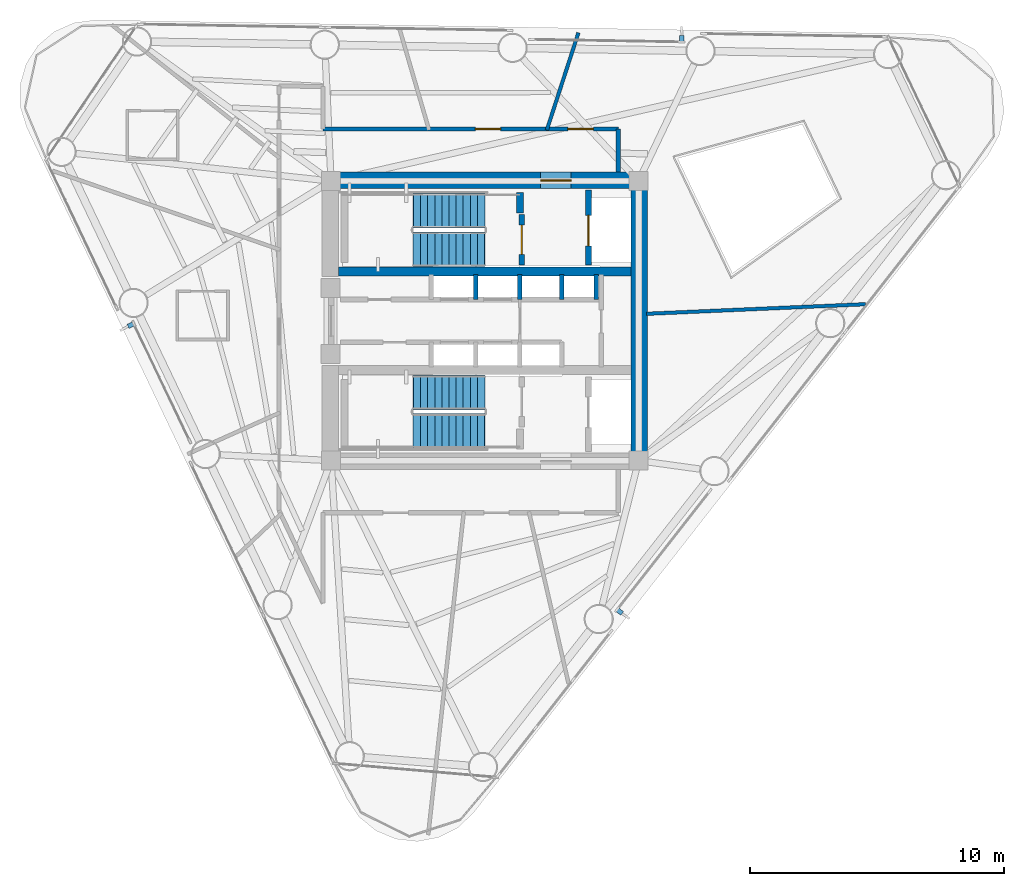
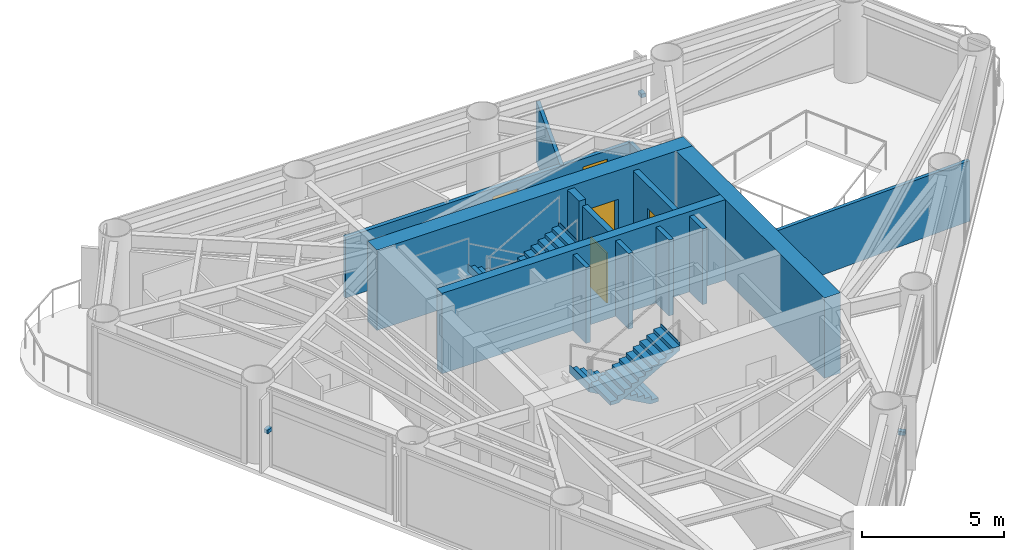
# One storey, part 6 of 9: 14 walls, 5 doors, 4 stair flights, 3 discrete accessories, 5 openings, 2 elements without a shape of their own.
"""IFC4 building model written with IfcOpenShell, lengths in metres."""

from ifc_helpers import new_model, si_unit, direction, frame, frame_2d, origin, origin_2d, place, context, subcontext, project, spatial, polyline, rectangle, outline, extrude, source, transform, mapped, material, layer, layer_set, type_object, element, fill, aggregate, save


model = new_model("IFC4")

# Units and contexts
model_context = context("Model", 3, precision=1e-05, world=origin(), true_north=direction((0.0, 1.0)))
body_context = subcontext(model_context, "Body", "Model", "MODEL_VIEW")
ifc_project = project(units=[si_unit("LENGTHUNIT", "METRE"), si_unit("AREAUNIT", "SQUARE_METRE"), si_unit("VOLUMEUNIT", "CUBIC_METRE"), si_unit("PLANEANGLEUNIT", "RADIAN"), si_unit("MASSUNIT", "GRAM", prefix="KILO")], contexts=[model_context])

# Site, building, storey
site_placement = place(None, origin())
site = spatial("IfcSite", under=ifc_project, at=site_placement, CompositionType="ELEMENT")
building_placement = place(site_placement, origin())
building = spatial("IfcBuilding", under=site, at=building_placement, Name="Yunling Apex Tower", CompositionType="ELEMENT")
storey_placement = place(building_placement, frame((0.0, 0.0, 208.699951171875)))
storey = spatial("IfcBuildingStorey", under=building, at=storey_placement, Name="L51", CompositionType="ELEMENT", Elevation=208.699951171875)

# Wall, opening, door
ifc_material_1 = material(Name="Concrete C50", Category="concrete")
ifc_layer_1 = layer(ifc_material_1, 0.64990234375)
ifc_layer_set_1 = layer_set([ifc_layer_1], Name="Concrete C50")
wall_type_1 = type_object("IfcWallType", Name="WL-COR-2", PredefinedType="SHEAR", material=ifc_layer_set_1)
wall_1_placement = place(storey_placement, frame((-6.39990234375, 5.52490234375, 0.0), z_axis=(0.0, 0.0, 1.0), x_axis=(1.0, 0.0, 0.0)))
wall_1 = element("IfcWall", 1, at=wall_1_placement, inside=storey, type_object=wall_type_1, Name="L51 North Core Shear Wall", PredefinedType="SHEAR", context=body_context, shape_type="SweptSolid", body=[
    extrude(rectangle(XDim=12.7998046875, YDim=0.64990234375, at=frame_2d((6.39990234375, 0.0))), origin(), (0.0, 0.0, 1.0), 3.449951171875),
])
opening_1_placement = place(wall_1_placement, frame((8.60009765625, 0.0, 0.0)))
opening_1 = element("IfcOpeningElement", 2, at=opening_1_placement, cuts=wall_1, Name="Opening DR-FFL-1", PredefinedType="OPENING", context=body_context, shape_type="SweptSolid", body=[
    extrude(rectangle(XDim=1.199951171875, YDim=2.199951171875, at=frame_2d((0.60009765625, 1.10009765625))), frame((0.0, 0.3349609375, 0.0), z_axis=(0.0, -1.0, 0.0), x_axis=(1.0, 0.0, 0.0)), (0.0, 0.0, 1.0), 0.669921875),
])
ifc_material_2 = material(Name="Steel Q355B", Category="steel")
door_type_1 = type_object("IfcDoorType", Name="DR-FFL-1", OperationType="NOTDEFINED", PredefinedType="DOOR", material=ifc_material_2)
door_1_placement = place(opening_1_placement, origin())
door_1 = element("IfcDoor", 3, at=door_1_placement, inside=storey, type_object=door_type_1, Name="L51 North Firefighting Lobby Door", OperationType="SINGLE_SWING_LEFT", OverallHeight=2.199951171875, OverallWidth=1.199951171875, PredefinedType="DOOR", context=body_context, shape_type="SweptSolid", body=[
    extrude(rectangle(XDim=1.199951171875, YDim=2.199951171875, at=frame_2d((0.60009765625, 1.10009765625))), frame((0.0, 0.02490234375, 0.0), z_axis=(0.0, -1.0, 0.0), x_axis=(1.0, 0.0, 0.0)), (0.0, 0.0, 1.0), 0.050048828125),
])
fill(opening_1, door_1)

# Walls
wall_2_placement = place(storey_placement, frame((6.074951171875, -5.199951171875, 0.0), z_axis=(0.0, 0.0, 1.0), x_axis=(0.0, 1.0, 0.0)))
element("IfcWall", 4, at=wall_2_placement, inside=storey, type_object=wall_type_1, Name="L51 East Core Shear Wall", PredefinedType="SHEAR", context=body_context, shape_type="SweptSolid", body=[
    extrude(rectangle(XDim=10.39990234375, YDim=0.64990234375, at=frame_2d((5.199951171875, 0.0))), origin(), (0.0, 0.0, 1.0), 3.449951171875),
])
ifc_material_3 = material(Name="Concrete C40", Category="concrete")
ifc_layer_2 = layer(ifc_material_3, 0.360107421875)
ifc_layer_set_2 = layer_set([ifc_layer_2], Name="Concrete C40")
wall_type_2 = type_object("IfcWallType", Name="WL-COR-4", PredefinedType="SHEAR", material=ifc_layer_set_2)
wall_3_placement = place(storey_placement, frame((-5.75, 1.93994140625, 0.0), z_axis=(0.0, 0.0, 1.0), x_axis=(1.0, 0.0, 0.0)))
element("IfcWall", 5, at=wall_3_placement, inside=storey, type_object=wall_type_2, Name="L51 North Internal Core Shear Wall", PredefinedType="SHEAR", context=body_context, shape_type="SweptSolid", body=[
    extrude(rectangle(XDim=11.5, YDim=0.360107421875, at=frame_2d((5.75, 0.0))), origin(), (0.0, 0.0, 1.0), 3.449951171875),
])
ifc_layer_3 = layer(ifc_material_3, 0.280029296875)
ifc_layer_set_3 = layer_set([ifc_layer_3], Name="Concrete C40")
wall_type_3 = type_object("IfcWallType", Name="WL-COR-8", PredefinedType="SHEAR", material=ifc_layer_set_3)
wall_4_placement = place(storey_placement, frame((1.3798828125, 4.25, 0.0), z_axis=(0.0, 0.0, 1.0), x_axis=(0.0, 1.0, 0.0)))
element("IfcWall", 6, at=wall_4_placement, inside=storey, type_object=wall_type_3, Name="L51 ST-1 East Landing Bearing Pier", PredefinedType="SHEAR", context=body_context, shape_type="SweptSolid", body=[
    extrude(rectangle(XDim=0.800048828125, YDim=0.280029296875, at=frame_2d((0.39990234375, 0.0))), origin(), (0.0, 0.0, 1.0), 3.449951171875),
])

# Wall, openings, doors
ifc_material_4 = material(Name="Gypsum board acoustic partition")
ifc_layer_4 = layer(ifc_material_4, 0.159912109375)
ifc_layer_set_4 = layer_set([ifc_layer_4], Name="Gypsum board acoustic partition")
wall_type_4 = type_object("IfcWallType", Name="WL-PRT-1", PredefinedType="PARTITIONING", material=ifc_layer_set_4)
wall_5_placement = place(storey_placement, frame((-6.360107421875, 7.550048828125, 0.0), z_axis=(0.0, 0.0, 1.0), x_axis=(1.0, 0.0, 0.0)))
wall_5 = element("IfcWall", 7, at=wall_5_placement, inside=storey, type_object=wall_type_4, Name="WL-CORR-L51-06", PredefinedType="PARTITIONING", context=body_context, shape_type="SweptSolid", body=[
    extrude(rectangle(XDim=11.610107421875, YDim=0.159912109375, at=frame_2d((5.80517578125, 0.0))), origin(), (0.0, 0.0, 1.0), 2.60498046875),
])
opening_2_placement = place(wall_5_placement, frame((5.984619140625, 0.0, 0.0)))
opening_2 = element("IfcOpeningElement", 8, at=opening_2_placement, cuts=wall_5, Name="Opening DR-OFF-1", PredefinedType="OPENING", context=body_context, shape_type="SweptSolid", body=[
    extrude(rectangle(XDim=1.0, YDim=2.25, at=frame_2d((0.5, 1.125))), frame((0.0, 0.08984375, 0.0), z_axis=(0.0, -1.0, 0.0), x_axis=(1.0, 0.0, 0.0)), (0.0, 0.0, 1.0), 0.179931640625),
])
opening_3_placement = place(wall_5_placement, frame((9.632568359375, 0.0, 0.0)))
opening_3 = element("IfcOpeningElement", 9, at=opening_3_placement, cuts=wall_5, Name="Opening DR-OFF-1", PredefinedType="OPENING", context=body_context, shape_type="SweptSolid", body=[
    extrude(rectangle(XDim=1.0, YDim=2.25, at=frame_2d((0.5, 1.125))), frame((0.0, 0.08984375, 0.0), z_axis=(0.0, -1.0, 0.0), x_axis=(1.0, 0.0, 0.0)), (0.0, 0.0, 1.0), 0.179931640625),
])
ifc_material_5 = material(Name="Bronze anodised aluminium", Category="aluminium")
door_type_2 = type_object("IfcDoorType", Name="DR-OFF-1", OperationType="NOTDEFINED", PredefinedType="DOOR", material=ifc_material_5)
door_2_placement = place(opening_2_placement, origin())
door_2 = element("IfcDoor", 10, at=door_2_placement, inside=storey, type_object=door_type_2, Name="L51 Club Lounge Door", OperationType="SINGLE_SWING_LEFT", OverallHeight=2.25, OverallWidth=1.0, PredefinedType="DOOR", context=body_context, shape_type="SweptSolid", body=[
    extrude(rectangle(XDim=1.0, YDim=2.25, at=frame_2d((0.5, 1.125))), frame((0.0, 0.02490234375, 0.0), z_axis=(0.0, -1.0, 0.0), x_axis=(1.0, 0.0, 0.0)), (0.0, 0.0, 1.0), 0.050048828125),
])
fill(opening_2, door_2)
door_3_placement = place(opening_3_placement, origin())
door_3 = element("IfcDoor", 11, at=door_3_placement, inside=storey, type_object=door_type_2, Name="L51 Club Lounge Door", OperationType="SINGLE_SWING_RIGHT", OverallHeight=2.25, OverallWidth=1.0, PredefinedType="DOOR", context=body_context, shape_type="SweptSolid", body=[
    extrude(rectangle(XDim=1.0, YDim=2.25, at=frame_2d((0.5, 1.125))), frame((0.0, 0.02490234375, 0.0), z_axis=(0.0, -1.0, 0.0), x_axis=(1.0, 0.0, 0.0)), (0.0, 0.0, 1.0), 0.050048828125),
])
fill(opening_3, door_3)

# Walls
wall_6_placement = place(storey_placement, frame((5.25, 7.550048828125, 0.0), z_axis=(0.0, 0.0, 1.0), x_axis=(0.0, -1.0, 0.0)))
element("IfcWall", 12, at=wall_6_placement, inside=storey, type_object=wall_type_4, Name="WL-CORR-L51-07", PredefinedType="PARTITIONING", context=body_context, shape_type="SweptSolid", body=[
    extrude(rectangle(XDim=1.699951171875, YDim=0.159912109375, at=frame_2d((0.85009765625, 0.0))), origin(), (0.0, 0.0, 1.0), 2.60498046875),
])
ifc_layer_5 = layer(ifc_material_4, 0.139892578125)
ifc_layer_set_5 = layer_set([ifc_layer_5], Name="Gypsum board acoustic partition")
wall_type_5 = type_object("IfcWallType", Name="WL-PRT-2", PredefinedType="PARTITIONING", material=ifc_layer_set_5)
wall_7_placement = place(storey_placement, frame((6.360107421875, 0.277587890625, 0.0), z_axis=(0.0, 0.0, 1.0), x_axis=(0.999047440648, 0.043637270025, 0.0)))
element("IfcWall", 13, at=wall_7_placement, inside=storey, type_object=wall_type_5, Name="WL-RAD-L51-01", PredefinedType="PARTITIONING", context=body_context, shape_type="SweptSolid", body=[
    extrude(rectangle(XDim=8.6328125, YDim=0.139892578125, at=frame_2d((4.31640625, 0.0))), origin(), (0.0, 0.0, 1.0), 2.60498046875),
])
wall_8_placement = place(storey_placement, frame((2.440185546875, 7.510009765625, 0.0), z_axis=(0.0, 0.0, 1.0), x_axis=(0.309013387048, 0.951057688379, 0.0)))
element("IfcWall", 14, at=wall_8_placement, inside=storey, type_object=wall_type_5, Name="WL-RAD-L51-02", PredefinedType="PARTITIONING", context=body_context, shape_type="SweptSolid", body=[
    extrude(rectangle(XDim=4.025390625, YDim=0.139892578125, at=frame_2d((2.0126953125, 0.0))), origin(), (0.0, 0.0, 1.0), 2.60498046875),
])

# Wall, opening, door
ifc_material_6 = material(Name="Autoclaved aerated concrete masonry", Category="masonry")
ifc_layer_6 = layer(ifc_material_6, 0.219970703125)
ifc_layer_set_6 = layer_set([ifc_layer_6], Name="Autoclaved aerated concrete masonry")
wall_type_6 = type_object("IfcWallType", Name="WL-SHF-1", PredefinedType="PLUMBINGWALL", material=ifc_layer_set_6)
wall_9_placement = place(storey_placement, frame((1.449951171875, 2.199951171875, 0.0), z_axis=(0.0, 0.0, 1.0), x_axis=(0.0, 1.0, 0.0)))
wall_9 = element("IfcWall", 15, at=wall_9_placement, inside=storey, type_object=wall_type_6, Name="WL-ST1-E-L51", PredefinedType="PLUMBINGWALL", context=body_context, shape_type="SweptSolid", body=[
    extrude(rectangle(XDim=1.97998046875, YDim=0.219970703125, at=frame_2d((0.989990234375, 0.0))), origin(), (0.0, 0.0, 1.0), 3.25),
])
opening_4_placement = place(wall_9_placement, frame((0.419921875, 0.0, 0.0)))
opening_4 = element("IfcOpeningElement", 16, at=opening_4_placement, cuts=wall_9, Name="Opening DR-ST-1", PredefinedType="OPENING", context=body_context, shape_type="SweptSolid", body=[
    extrude(rectangle(XDim=1.14990234375, YDim=2.14990234375, at=frame_2d((0.574951171875, 1.074951171875))), frame((0.0, 0.1201171875, 0.0), z_axis=(0.0, -1.0, 0.0), x_axis=(1.0, 0.0, 0.0)), (0.0, 0.0, 1.0), 0.239990234375),
])
door_type_3 = type_object("IfcDoorType", Name="DR-ST-1", OperationType="NOTDEFINED", PredefinedType="DOOR", material=ifc_material_2)
door_4_placement = place(opening_4_placement, origin())
door_4 = element("IfcDoor", 17, at=door_4_placement, inside=storey, type_object=door_type_3, Name="L51 Stair ST-1 Fire Door", OperationType="SINGLE_SWING_LEFT", OverallHeight=2.14990234375, OverallWidth=1.14990234375, PredefinedType="DOOR", context=body_context, shape_type="SweptSolid", body=[
    extrude(rectangle(XDim=1.14990234375, YDim=2.14990234375, at=frame_2d((0.574951171875, 1.074951171875))), frame((0.0, 0.02490234375, 0.0), z_axis=(0.0, -1.0, 0.0), x_axis=(1.0, 0.0, 0.0)), (0.0, 0.0, 1.0), 0.050048828125),
])
fill(opening_4, door_4)

wall_10_placement = place(storey_placement, frame((4.080078125, 2.199951171875, 0.0), z_axis=(0.0, 0.0, 1.0), x_axis=(0.0, 1.0, 0.0)))
wall_10 = element("IfcWall", 18, at=wall_10_placement, inside=storey, type_object=wall_type_6, Name="WL-FFL1-W-L51", PredefinedType="PLUMBINGWALL", context=body_context, shape_type="SweptSolid", body=[
    extrude(rectangle(XDim=2.949951171875, YDim=0.219970703125, at=frame_2d((1.47509765625, 0.0))), origin(), (0.0, 0.0, 1.0), 3.25),
])
opening_5_placement = place(wall_10_placement, frame((0.75, 0.0, 0.0)))
opening_5 = element("IfcOpeningElement", 19, at=opening_5_placement, cuts=wall_10, Name="Opening LD-FFL-1", PredefinedType="OPENING", context=body_context, shape_type="SweptSolid", body=[
    extrude(rectangle(XDim=1.199951171875, YDim=2.25, at=frame_2d((0.60009765625, 1.125))), frame((0.0, 0.1201171875, 0.0), z_axis=(0.0, -1.0, 0.0), x_axis=(1.0, 0.0, 0.0)), (0.0, 0.0, 1.0), 0.239990234375),
])
door_type_4 = type_object("IfcDoorType", Name="LD-FFL-1", OperationType="DOUBLE_DOOR_SLIDING", PredefinedType="DOOR", material=ifc_material_2)
door_5_placement = place(opening_5_placement, origin())
door_5 = element("IfcDoor", 20, at=door_5_placement, inside=storey, type_object=door_type_4, Name="L51 Lift FFL-1 Landing Door", OperationType="DOUBLE_DOOR_SLIDING", OverallHeight=2.25, OverallWidth=1.199951171875, PredefinedType="DOOR", context=body_context, shape_type="SweptSolid", body=[
    extrude(rectangle(XDim=1.199951171875, YDim=2.25, at=frame_2d((0.60009765625, 1.125))), frame((0.0, 0.02490234375, 0.0), z_axis=(0.0, -1.0, 0.0), x_axis=(1.0, 0.0, 0.0)), (0.0, 0.0, 1.0), 0.050048828125),
])
fill(opening_5, door_5)

# Walls
ifc_layer_7 = layer(ifc_material_6, 0.179931640625)
ifc_layer_set_7 = layer_set([ifc_layer_7], Name="Autoclaved aerated concrete masonry")
wall_type_7 = type_object("IfcWallType", Name="WL-SHF-2", PredefinedType="PLUMBINGWALL", material=ifc_layer_set_7)
for number, where, z_axis, x_axis, name in (
    (21, (-0.35009765625, 0.840087890625, 0.0), (0.0, 0.0, 1.0), (0.0, 1.0, 0.0), "WL-DIV-M12-L51"),
    (22, (1.3798828125, 0.840087890625, 0.0), (0.0, 0.0, 1.0), (0.0, 1.0, 0.0), "WL-BNK-MH-N-L51"),
    (23, (3.02001953125, 0.840087890625, 0.0), (0.0, 0.0, 1.0), (0.0, 1.0, 0.0), "WL-DIV-H13-L51"),
    (24, (4.3798828125, 0.840087890625, 0.0), (0.0, 0.0, 1.0), (0.0, 1.0, 0.0), "WL-END-H3E-L51"),
):
    element("IfcWall", number, at=place(storey_placement, frame(where, z_axis=z_axis, x_axis=x_axis)), inside=storey, type_object=wall_type_7, Name=name, PredefinedType="PLUMBINGWALL", context=body_context, shape_type="SweptSolid", body=[
        extrude(rectangle(XDim=0.97998046875, YDim=0.179931640625, at=frame_2d((0.489990234375, 0.0))), origin(), (0.0, 0.0, 1.0), 3.25),
    ])

# Stair, stair flights
stair_type = type_object("IfcStairType", Name="ST-TWR-2", PredefinedType="HALF_TURN_STAIR", material=ifc_material_3)
stair_1_placement = place(storey_placement, origin())
stair_1 = element("IfcStair", 25, at=stair_1_placement, inside=storey, type_object=stair_type, Name="L51 North Core Smokeproof Exit Stair ST-1", PredefinedType="HALF_TURN_STAIR")
stair_flight_type = type_object("IfcStairFlightType", Name="SFL-TWR-2", PredefinedType="STRAIGHT", material=ifc_material_3)
stair_flight_1_placement = place(storey_placement, frame((-0.010009765625, 4.330078125, 0.0), z_axis=(0.0, 0.0, 1.0), x_axis=(-1.0, 0.0, 0.0)))
stair_flight_1 = element("IfcStairFlight", 26, at=stair_flight_1_placement, type_object=stair_flight_type, Name="ST-1 flight 1", NumberOfRisers=11, NumberOfTreads=10, PredefinedType="STRAIGHT", RiserHeight=0.156818182, TreadLength=0.28, context=body_context, shape_type="SweptSolid", body=[
    extrude(outline(polyline([(-0.011962890625, 0.0), (-0.011962890625, 0.15673828125), (0.0, 0.15673828125), (0.280029296875, 0.15673828125), (0.280029296875, 0.313720703125), (0.56005859375, 0.313720703125), (0.56005859375, 0.470458984375), (0.840087890625, 0.470458984375), (0.840087890625, 0.627197265625), (1.1201171875, 0.627197265625), (1.1201171875, 0.7841796875), (1.39990234375, 0.7841796875), (1.39990234375, 0.94091796875), (1.679931640625, 0.94091796875), (1.679931640625, 1.09765625), (1.9599609375, 1.09765625), (1.9599609375, 1.254638671875), (2.239990234375, 1.254638671875), (2.239990234375, 1.411376953125), (2.52001953125, 1.411376953125), (2.52001953125, 1.568115234375), (2.800048828125, 1.568115234375), (2.800048828125, 1.72509765625), (2.81201171875, 1.72509765625), (2.81201171875, 1.385009765625), (0.3271484375, 0.0), (-0.011962890625, 0.0)])), frame((0.0, 0.68017578125, 0.0), z_axis=(0.0, -1.0, 0.0), x_axis=(1.0, 0.0, 0.0)), (0.0, 0.0, 1.0), 1.360107421875),
])
stair_flight_2_placement = place(storey_placement, frame((-2.81005859375, 2.820068359375, 1.72509765625), z_axis=(0.0, 0.0, 1.0), x_axis=(1.0, 0.0, 0.0)))
stair_flight_2 = element("IfcStairFlight", 27, at=stair_flight_2_placement, type_object=stair_flight_type, Name="ST-1 flight 2", NumberOfRisers=11, NumberOfTreads=10, PredefinedType="STRAIGHT", RiserHeight=0.156818182, TreadLength=0.28, context=body_context, shape_type="SweptSolid", body=[
    extrude(outline(polyline([(-0.011962890625, 0.0), (-0.011962890625, 0.15673828125), (0.0, 0.15673828125), (0.280029296875, 0.15673828125), (0.280029296875, 0.313720703125), (0.56005859375, 0.313720703125), (0.56005859375, 0.470458984375), (0.840087890625, 0.470458984375), (0.840087890625, 0.627197265625), (1.1201171875, 0.627197265625), (1.1201171875, 0.7841796875), (1.39990234375, 0.7841796875), (1.39990234375, 0.94091796875), (1.679931640625, 0.94091796875), (1.679931640625, 1.09765625), (1.9599609375, 1.09765625), (1.9599609375, 1.254638671875), (2.239990234375, 1.254638671875), (2.239990234375, 1.411376953125), (2.52001953125, 1.411376953125), (2.52001953125, 1.568115234375), (2.800048828125, 1.568115234375), (2.800048828125, 1.72509765625), (2.81201171875, 1.72509765625), (2.81201171875, 1.385009765625), (0.3271484375, 0.0), (-0.011962890625, 0.0)])), frame((0.0, 0.68017578125, 0.0), z_axis=(0.0, -1.0, 0.0), x_axis=(1.0, 0.0, 0.0)), (0.0, 0.0, 1.0), 1.360107421875),
])
aggregate(stair_1, [stair_flight_1, stair_flight_2])

stair_2_placement = place(storey_placement, origin())
stair_2 = element("IfcStair", 28, at=stair_2_placement, inside=storey, type_object=stair_type, Name="L51 South Core Smokeproof Exit Stair ST-2", PredefinedType="HALF_TURN_STAIR")
stair_flight_3_placement = place(storey_placement, frame((-0.010009765625, -2.820068359375, 0.0), z_axis=(0.0, 0.0, 1.0), x_axis=(-1.0, 0.0, 0.0)))
stair_flight_3 = element("IfcStairFlight", 29, at=stair_flight_3_placement, type_object=stair_flight_type, Name="ST-2 flight 1", NumberOfRisers=11, NumberOfTreads=10, PredefinedType="STRAIGHT", RiserHeight=0.156818182, TreadLength=0.28, context=body_context, shape_type="SweptSolid", body=[
    extrude(outline(polyline([(-0.011962890625, 0.0), (-0.011962890625, 0.15673828125), (0.0, 0.15673828125), (0.280029296875, 0.15673828125), (0.280029296875, 0.313720703125), (0.56005859375, 0.313720703125), (0.56005859375, 0.470458984375), (0.840087890625, 0.470458984375), (0.840087890625, 0.627197265625), (1.1201171875, 0.627197265625), (1.1201171875, 0.7841796875), (1.39990234375, 0.7841796875), (1.39990234375, 0.94091796875), (1.679931640625, 0.94091796875), (1.679931640625, 1.09765625), (1.9599609375, 1.09765625), (1.9599609375, 1.254638671875), (2.239990234375, 1.254638671875), (2.239990234375, 1.411376953125), (2.52001953125, 1.411376953125), (2.52001953125, 1.568115234375), (2.800048828125, 1.568115234375), (2.800048828125, 1.72509765625), (2.81201171875, 1.72509765625), (2.81201171875, 1.385009765625), (0.3271484375, 0.0), (-0.011962890625, 0.0)])), frame((0.0, 0.68017578125, 0.0), z_axis=(0.0, -1.0, 0.0), x_axis=(1.0, 0.0, 0.0)), (0.0, 0.0, 1.0), 1.360107421875),
])
stair_flight_4_placement = place(storey_placement, frame((-2.81005859375, -4.330078125, 1.72509765625), z_axis=(0.0, 0.0, 1.0), x_axis=(1.0, 0.0, 0.0)))
stair_flight_4 = element("IfcStairFlight", 30, at=stair_flight_4_placement, type_object=stair_flight_type, Name="ST-2 flight 2", NumberOfRisers=11, NumberOfTreads=10, PredefinedType="STRAIGHT", RiserHeight=0.156818182, TreadLength=0.28, context=body_context, shape_type="SweptSolid", body=[
    extrude(outline(polyline([(-0.011962890625, 0.0), (-0.011962890625, 0.15673828125), (0.0, 0.15673828125), (0.280029296875, 0.15673828125), (0.280029296875, 0.313720703125), (0.56005859375, 0.313720703125), (0.56005859375, 0.470458984375), (0.840087890625, 0.470458984375), (0.840087890625, 0.627197265625), (1.1201171875, 0.627197265625), (1.1201171875, 0.7841796875), (1.39990234375, 0.7841796875), (1.39990234375, 0.94091796875), (1.679931640625, 0.94091796875), (1.679931640625, 1.09765625), (1.9599609375, 1.09765625), (1.9599609375, 1.254638671875), (2.239990234375, 1.254638671875), (2.239990234375, 1.411376953125), (2.52001953125, 1.411376953125), (2.52001953125, 1.568115234375), (2.800048828125, 1.568115234375), (2.800048828125, 1.72509765625), (2.81201171875, 1.72509765625), (2.81201171875, 1.385009765625), (0.3271484375, 0.0), (-0.011962890625, 0.0)])), frame((0.0, 0.68017578125, 0.0), z_axis=(0.0, -1.0, 0.0), x_axis=(1.0, 0.0, 0.0)), (0.0, 0.0, 1.0), 1.360107421875),
])
aggregate(stair_2, [stair_flight_3, stair_flight_4])

# Discrete accessories
discrete_accessory_type = type_object("IfcDiscreteAccessoryType", Name="BK-FIN-1", PredefinedType="BRACKET", material=ifc_material_2)
shared_shape = source(origin(), body_context, "Body", "SweptSolid", [
    extrude(rectangle(XDim=0.179931640625, YDim=0.260009765625, at=origin_2d()), origin(), (0.0, 0.0, 1.0), 0.159912109375),
])
for number, where, z_axis, x_axis, name in (
    (31, (5.299072265625, -11.432861328125, 1.55517578125), (0.0, 0.0, 1.0), (0.616211460536, 0.787580748815, 0.0), "CW-L51-F1-B2-BRK-01-1"),
    (32, (7.749755859375, 11.090087890625, 1.55517578125), (0.0, 0.0, 1.0), (-0.999859635577, 0.016754376869, 0.0), "CW-L51-F2-B2-BRK-01-1"),
    (33, (-13.9189453125, -0.16162109375, 1.55517578125), (0.0, 0.0, 1.0), (0.430511096808, -0.90258528435, 0.0), "CW-L51-F3-B2-BRK-01-1"),
):
    element("IfcDiscreteAccessory", number, at=place(storey_placement, frame(where, z_axis=z_axis, x_axis=x_axis)), inside=storey, type_object=discrete_accessory_type, Name=name, PredefinedType="BRACKET", context=body_context, shape_type="MappedRepresentation", body=[
        mapped(shared_shape, transform((0.0, 0.0, 0.0), scale=1.0)),
    ])

save(model, "model.ifc")
